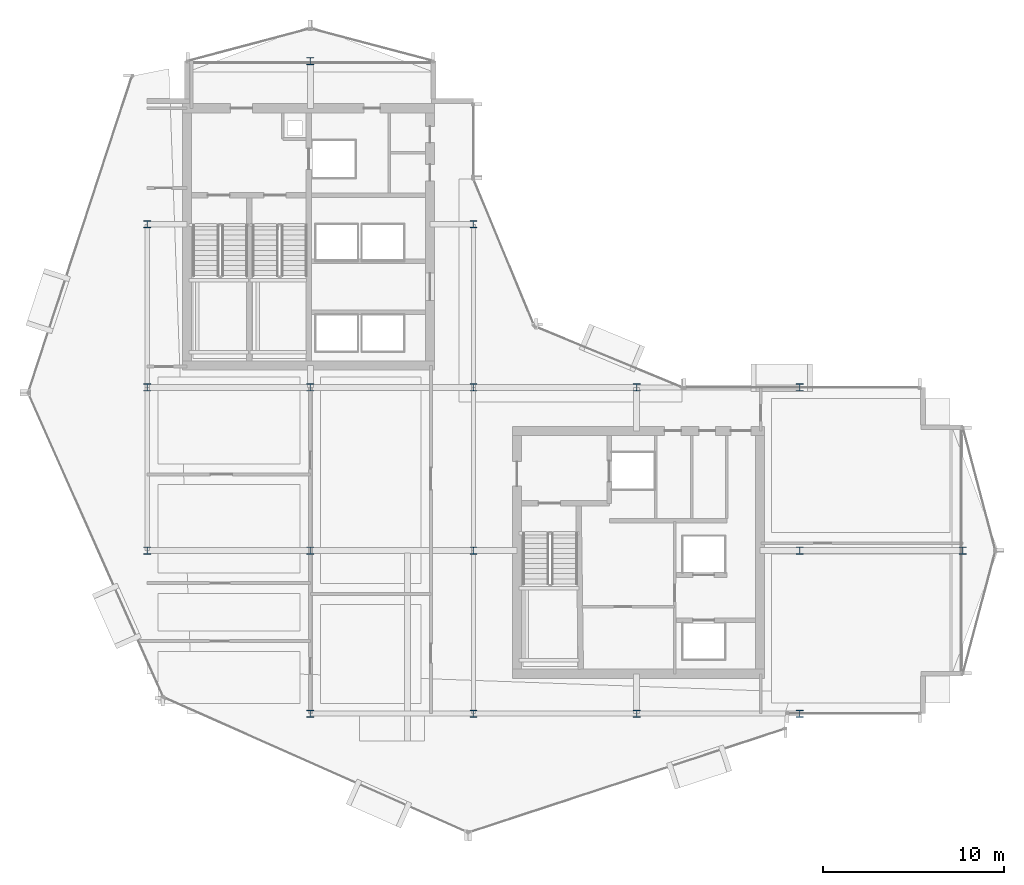
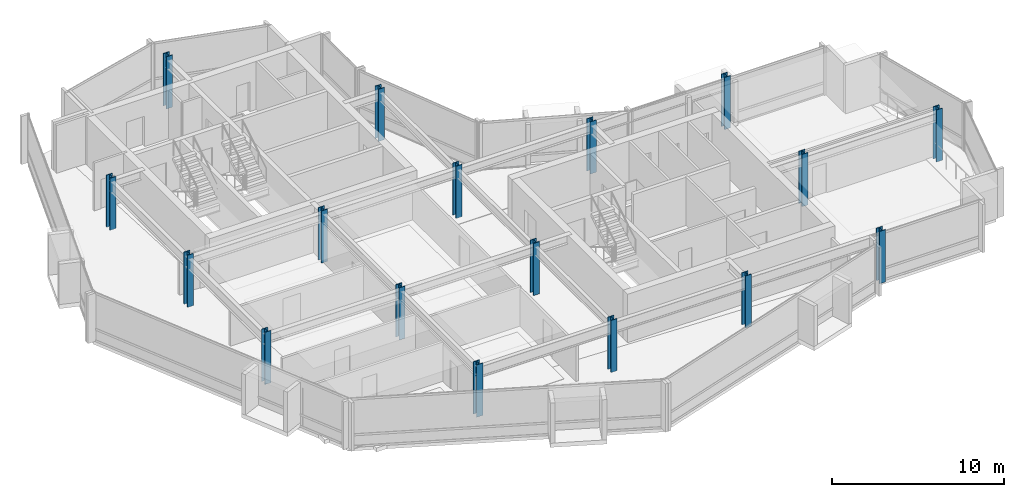
# One storey, part 1 of 27: 17 columns.
"""IFC4 building model written with IfcOpenShell, lengths in metres."""

from ifc_helpers import new_model, si_unit, direction, frame, origin, origin_2d, place, context, subcontext, project, spatial, i_section, extrude, material, material_profile, profile_set, type_object, element, save


model = new_model("IFC4")

# Units and contexts
model_context = context("Model", 3, precision=1e-05, world=origin(), true_north=direction((0.0, 1.0)))
body_context = subcontext(model_context, "Body", "Model", "MODEL_VIEW")
ifc_project = project(units=[si_unit("LENGTHUNIT", "METRE"), si_unit("AREAUNIT", "SQUARE_METRE"), si_unit("VOLUMEUNIT", "CUBIC_METRE"), si_unit("PLANEANGLEUNIT", "RADIAN"), si_unit("MASSUNIT", "GRAM", prefix="KILO")], contexts=[model_context])

# Site, building, storey
site_placement = place(None, origin())
site = spatial("IfcSite", under=ifc_project, at=site_placement, CompositionType="ELEMENT")
building_placement = place(site_placement, origin())
building = spatial("IfcBuilding", under=site, at=building_placement, Name="Solvaryn Broadcast Tower", CompositionType="ELEMENT")
storey_placement = place(building_placement, frame((0.0, 0.0, 185.300048828125)))
storey = spatial("IfcBuildingStorey", under=building, at=storey_placement, Name="L46", CompositionType="ELEMENT", Elevation=185.300048828125)

# Columns
ifc_material_1 = material(Name="Steel ASTM A913 Grade 65", Category="steel")
ifc_material_profile_1 = material_profile(ifc_material_1, i_section(OverallWidth=0.406005859375, OverallDepth=0.416015625, WebThickness=0.02978515625, FlangeThickness=0.048095703125, FilletRadius=0.014892578125, at=origin_2d()))
ifc_profile_set_1 = profile_set([ifc_material_profile_1], Name="Steel ASTM A913 Grade 65")
column_type_1 = type_object("IfcColumnType", Name="COL-C07E-W14X257", PredefinedType="COLUMN", material=ifc_profile_set_1)
for number, where, z_axis, x_axis, name in (
    (1, (9.0, 18.0, 0.0), (0.0, 0.0, 1.0), (1.0, 0.0, 0.0), "L46 Column (9.0, 18.0)"),
    (2, (9.0, 27.0, 0.0), (0.0, 0.0, 1.0), (1.0, 0.0, 0.0), "L46 Column (9.0, 27.0)"),
    (3, (9.0, 36.0, 0.0), (0.0, 0.0, 1.0), (1.0, 0.0, 0.0), "L46 Column (9.0, 36.0)"),
    (4, (18.0, 9.0, 0.0), (0.0, 0.0, 1.0), (1.0, 0.0, 0.0), "L46 Column (18.0, 9.0)"),
    (5, (18.0, 45.0, 0.0), (0.0, 0.0, 1.0), (1.0, 0.0, 0.0), "L46 Column (18.0, 45.0)"),
    (6, (27.0, 9.0, 0.0), (0.0, 0.0, 1.0), (1.0, 0.0, 0.0), "L46 Column (27.0, 9.0)"),
    (7, (27.0, 36.0, 0.0), (0.0, 0.0, 1.0), (1.0, 0.0, 0.0), "L46 Column (27.0, 36.0)"),
    (8, (36.0, 9.0, 0.0), (0.0, 0.0, 1.0), (1.0, 0.0, 0.0), "L46 Column (36.0, 9.0)"),
    (9, (36.0, 27.0, 0.0), (0.0, 0.0, 1.0), (1.0, 0.0, 0.0), "L46 Column (36.0, 27.0)"),
    (10, (45.0, 9.0, 0.0), (0.0, 0.0, 1.0), (1.0, 0.0, 0.0), "L46 Column (45.0, 9.0)"),
    (11, (45.0, 27.0, 0.0), (0.0, 0.0, 1.0), (1.0, 0.0, 0.0), "L46 Column (45.0, 27.0)"),
    (12, (54.0, 18.0, 0.0), (0.0, 0.0, 1.0), (1.0, 0.0, 0.0), "L46 Column (54.0, 18.0)"),
):
    element("IfcColumn", number, at=place(storey_placement, frame(where, z_axis=z_axis, x_axis=x_axis)), inside=storey, type_object=column_type_1, Name=name, PredefinedType="COLUMN", context=body_context, shape_type="SweptSolid", body=[
        extrude(i_section(OverallWidth=0.406005859375, OverallDepth=0.416015625, WebThickness=0.02978515625, FlangeThickness=0.048095703125, FilletRadius=0.014892578125, at=origin_2d()), origin(), (0.0, 0.0, 1.0), 3.699951171875),
    ])
ifc_material_2 = material(Name="Steel ASTM A913 Grade 65", Category="steel")
ifc_material_profile_2 = material_profile(ifc_material_2, i_section(OverallWidth=0.406005859375, OverallDepth=0.416015625, WebThickness=0.02978515625, FlangeThickness=0.048095703125, FilletRadius=0.014892578125, at=origin_2d()))
ifc_profile_set_2 = profile_set([ifc_material_profile_2], Name="Steel ASTM A913 Grade 65")
column_type_2 = type_object("IfcColumnType", Name="COL-C07I-W14X257", PredefinedType="COLUMN", material=ifc_profile_set_2)
for number, where, z_axis, x_axis, name in (
    (13, (18.0, 18.0, 0.0), (0.0, 0.0, 1.0), (1.0, 0.0, 0.0), "L46 Column (18.0, 18.0)"),
    (14, (18.0, 27.0, 0.0), (0.0, 0.0, 1.0), (1.0, 0.0, 0.0), "L46 Column (18.0, 27.0)"),
    (15, (27.0, 18.0, 0.0), (0.0, 0.0, 1.0), (1.0, 0.0, 0.0), "L46 Column (27.0, 18.0)"),
    (16, (27.0, 27.0, 0.0), (0.0, 0.0, 1.0), (1.0, 0.0, 0.0), "L46 Column (27.0, 27.0)"),
    (17, (45.0, 18.0, 0.0), (0.0, 0.0, 1.0), (1.0, 0.0, 0.0), "L46 Column (45.0, 18.0)"),
):
    element("IfcColumn", number, at=place(storey_placement, frame(where, z_axis=z_axis, x_axis=x_axis)), inside=storey, type_object=column_type_2, Name=name, PredefinedType="COLUMN", context=body_context, shape_type="SweptSolid", body=[
        extrude(i_section(OverallWidth=0.406005859375, OverallDepth=0.416015625, WebThickness=0.02978515625, FlangeThickness=0.048095703125, FilletRadius=0.014892578125, at=origin_2d()), origin(), (0.0, 0.0, 1.0), 3.699951171875),
    ])

save(model, "model.ifc")
